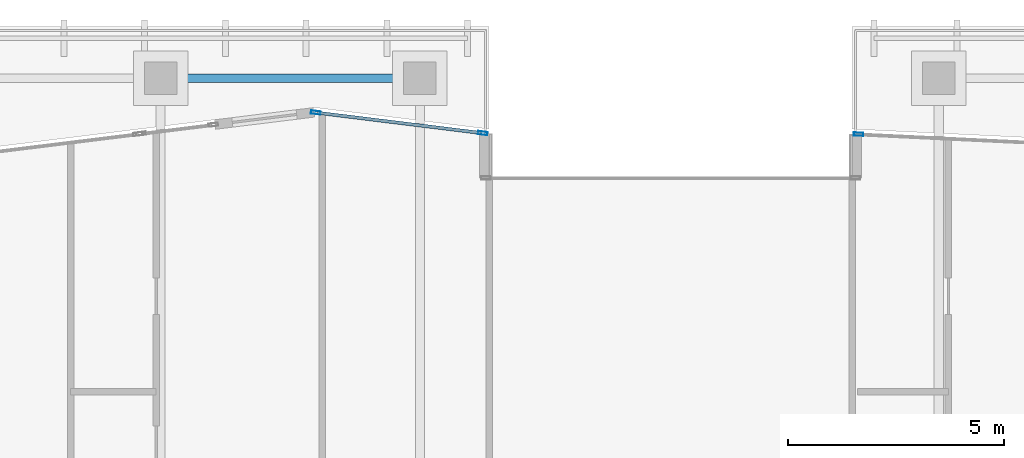
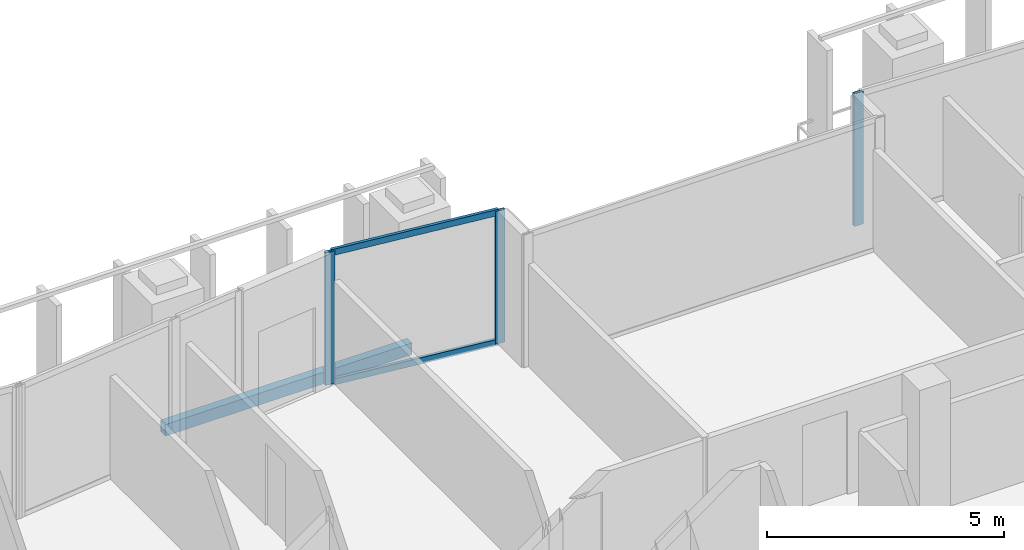
# One storey, part 12 of 31: 5 members, 1 beam, 2 elements without a shape of their own.
"""IFC4 building model written with IfcOpenShell, lengths in metres."""

from ifc_helpers import new_model, si_unit, direction, frame, origin, origin_2d, place, context, subcontext, project, spatial, hollow_rectangle, extrude, material, layer, layer_set, material_profile, profile_set, type_object, element, aggregate, save


model = new_model("IFC4")

# Units and contexts
model_context = context("Model", 3, precision=1e-05, world=origin(), true_north=direction((0.0, 1.0)))
body_context = subcontext(model_context, "Body", "Model", "MODEL_VIEW")
ifc_project = project(units=[si_unit("LENGTHUNIT", "METRE"), si_unit("AREAUNIT", "SQUARE_METRE"), si_unit("VOLUMEUNIT", "CUBIC_METRE"), si_unit("PLANEANGLEUNIT", "RADIAN"), si_unit("MASSUNIT", "GRAM", prefix="KILO")], contexts=[model_context])

# Site, building, storey
site_placement = place(None, origin())
site = spatial("IfcSite", under=ifc_project, at=site_placement, CompositionType="ELEMENT")
building_placement = place(site_placement, origin())
building = spatial("IfcBuilding", under=site, at=building_placement, Name="Tanjung Sevakor Pilgrim Tower", CompositionType="ELEMENT")
storey_placement = place(building_placement, frame((0.0, 0.0, 208.22998046875)))
storey = spatial("IfcBuildingStorey", under=building, at=storey_placement, Name="L58", CompositionType="ELEMENT", Elevation=208.22998046875)

# Beam
ifc_material_1 = material(Name="Steel S355J2", Category="steel")
ifc_material_profile_1 = material_profile(ifc_material_1, hollow_rectangle(XDim=0.199951171875, YDim=0.300048828125, WallThickness=0.012451171875, at=origin_2d()))
ifc_profile_set_1 = profile_set([ifc_material_profile_1], Name="Steel S355J2")
beam_type = type_object("IfcBeamType", Name="BM-B-SP3-RHS_300x200x12.5", PredefinedType="SPANDREL", material=ifc_profile_set_1)
beam_placement = place(storey_placement, frame((36.0, 53.949951171875, -0.369873046875), z_axis=(1.0, 0.0, 0.0), x_axis=(0.0, 1.0, 0.0)))
element("IfcBeam", 1, at=beam_placement, inside=storey, type_object=beam_type, Name="L58 Spandrel MAIN N-04", PredefinedType="SPANDREL", context=body_context, shape_type="SweptSolid", body=[
    extrude(hollow_rectangle(XDim=0.199951171875, YDim=0.300048828125, WallThickness=0.012451171875, at=origin_2d()), origin(), (0.0, 0.0, 1.0), 6.0),
])

# Curtain wall, member
ifc_material_2 = material(Name="Aluminium 6063-T6 and Low-E Glass", Category="aluminium")
ifc_layer = layer(ifc_material_2, 0.199951171875)
ifc_layer_set = layer_set([ifc_layer], Name="CW-SYS-PRAY")
curtain_wall_type = type_object("IfcCurtainWallType", Name="CW-SYS-PRAY", PredefinedType="NOTDEFINED", material=ifc_layer_set)
curtain_wall_1_placement = place(storey_placement, origin())
curtain_wall_1 = element("IfcCurtainWall", 2, at=curtain_wall_1_placement, inside=storey, type_object=curtain_wall_type, Name="L58 Curtain Wall CW-PRY-L58-23", PredefinedType="NOTDEFINED")
ifc_material_3 = material(Name="Aluminium 6063-T6", Category="aluminium")
ifc_material_profile_2 = material_profile(ifc_material_3, hollow_rectangle(XDim=0.074951171875, YDim=0.219970703125, WallThickness=0.0048828125, at=origin_2d()))
ifc_profile_set_2 = profile_set([ifc_material_profile_2], Name="Aluminium 6063-T6")
member_type_1 = type_object("IfcMemberType", Name="TYPE-CWM-2", PredefinedType="MULLION", material=ifc_profile_set_2)
member_1_placement = place(storey_placement, frame((52.1474609375, 52.65283203125, 0.0), z_axis=(0.0, 0.0, 1.0), x_axis=(-0.047788664414, -0.998857469088, 0.0)))
member_1 = element("IfcMember", 3, at=member_1_placement, type_object=member_type_1, Name="CW-PRY mullion 3", PredefinedType="MULLION", context=body_context, shape_type="SweptSolid", body=[
    extrude(hollow_rectangle(XDim=0.074951171875, YDim=0.219970703125, WallThickness=0.0048828125, at=origin_2d()), origin(), (0.0, 0.0, 1.0), 3.409912109375),
])
aggregate(curtain_wall_1, [member_1])

# Curtain wall, members
curtain_wall_2_placement = place(storey_placement, origin())
curtain_wall_2 = element("IfcCurtainWall", 4, at=curtain_wall_2_placement, inside=storey, type_object=curtain_wall_type, Name="L58 Curtain Wall CW-PRY-L58-27", PredefinedType="NOTDEFINED")
member_2_placement = place(storey_placement, frame((43.452880859375, 52.67724609375, 0.0), z_axis=(0.0, 0.0, 1.0), x_axis=(-0.122546482242, -0.992462774964, 0.0)))
member_2 = element("IfcMember", 5, at=member_2_placement, type_object=member_type_1, Name="CW-PRY mullion 1", PredefinedType="MULLION", context=body_context, shape_type="SweptSolid", body=[
    extrude(hollow_rectangle(XDim=0.074951171875, YDim=0.219970703125, WallThickness=0.0048828125, at=origin_2d()), origin(), (0.0, 0.0, 1.0), 3.409912109375),
])
member_3_placement = place(storey_placement, frame((39.587158203125, 53.154541015625, 0.0), z_axis=(0.0, 0.0, 1.0), x_axis=(-0.122546482242, -0.992462774964, 0.0)))
member_3 = element("IfcMember", 6, at=member_3_placement, type_object=member_type_1, Name="CW-PRY mullion 2", PredefinedType="MULLION", context=body_context, shape_type="SweptSolid", body=[
    extrude(hollow_rectangle(XDim=0.074951171875, YDim=0.219970703125, WallThickness=0.0048828125, at=origin_2d()), origin(), (0.0, 0.0, 1.0), 3.409912109375),
])
ifc_material_4 = material(Name="Aluminium 6063-T6", Category="aluminium")
ifc_material_profile_3 = material_profile(ifc_material_4, hollow_rectangle(XDim=0.074951171875, YDim=0.159912109375, WallThickness=0.00439453125, at=origin_2d()))
ifc_profile_set_3 = profile_set([ifc_material_profile_3], Name="Aluminium 6063-T6")
member_type_2 = type_object("IfcMemberType", Name="TYPE-CWT-2", PredefinedType="USERDEFINED", material=ifc_profile_set_3)
member_4_placement = place(storey_placement, frame((43.41552734375, 52.681884765625, 0.03759765625), z_axis=(-0.992465521079, 0.122524240334, 0.0), x_axis=(-0.122524240334, -0.992465521079, 0.0)))
member_4 = element("IfcMember", 7, at=member_4_placement, type_object=member_type_2, Name="CW-PRY transom 1.1", ObjectType="TRANSOM", PredefinedType="USERDEFINED", context=body_context, shape_type="SweptSolid", body=[
    extrude(hollow_rectangle(XDim=0.074951171875, YDim=0.159912109375, WallThickness=0.00439453125, at=origin_2d()), origin(), (0.0, 0.0, 1.0), 3.81982421875),
])
member_5_placement = place(storey_placement, frame((43.41552734375, 52.681884765625, 3.37255859375), z_axis=(-0.992465521079, 0.122524240334, 0.0), x_axis=(-0.122524240334, -0.992465521079, 0.0)))
member_5 = element("IfcMember", 8, at=member_5_placement, type_object=member_type_2, Name="CW-PRY transom 1.2", ObjectType="TRANSOM", PredefinedType="USERDEFINED", context=body_context, shape_type="SweptSolid", body=[
    extrude(hollow_rectangle(XDim=0.074951171875, YDim=0.159912109375, WallThickness=0.00439453125, at=origin_2d()), origin(), (0.0, 0.0, 1.0), 3.81982421875),
])
aggregate(curtain_wall_2, [member_2, member_3, member_4, member_5])

save(model, "model.ifc")
